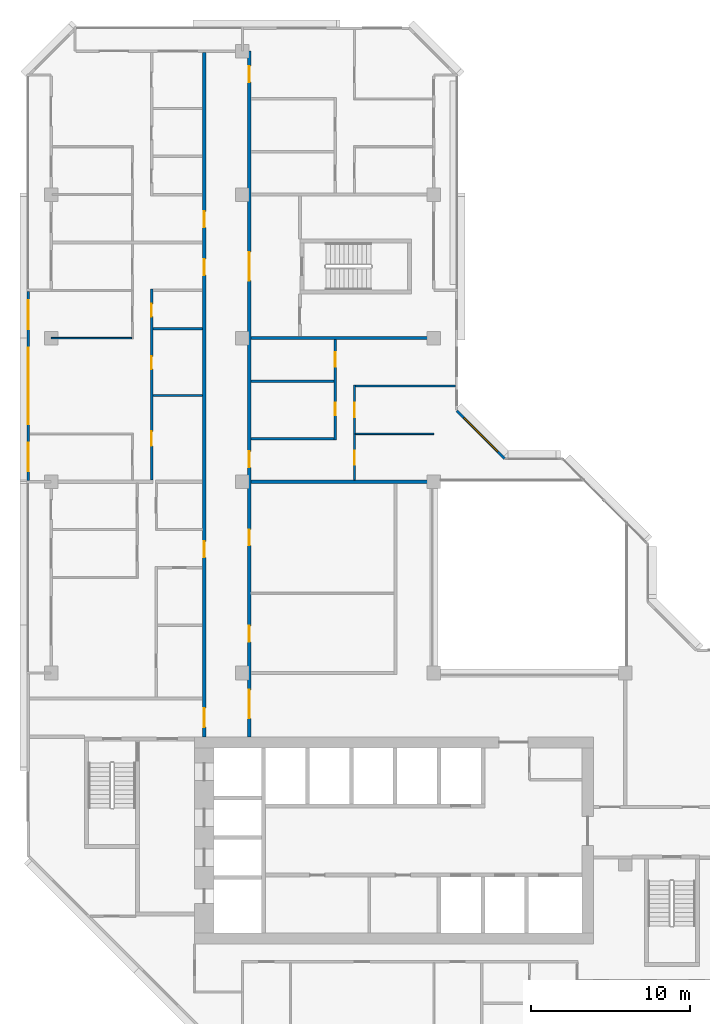
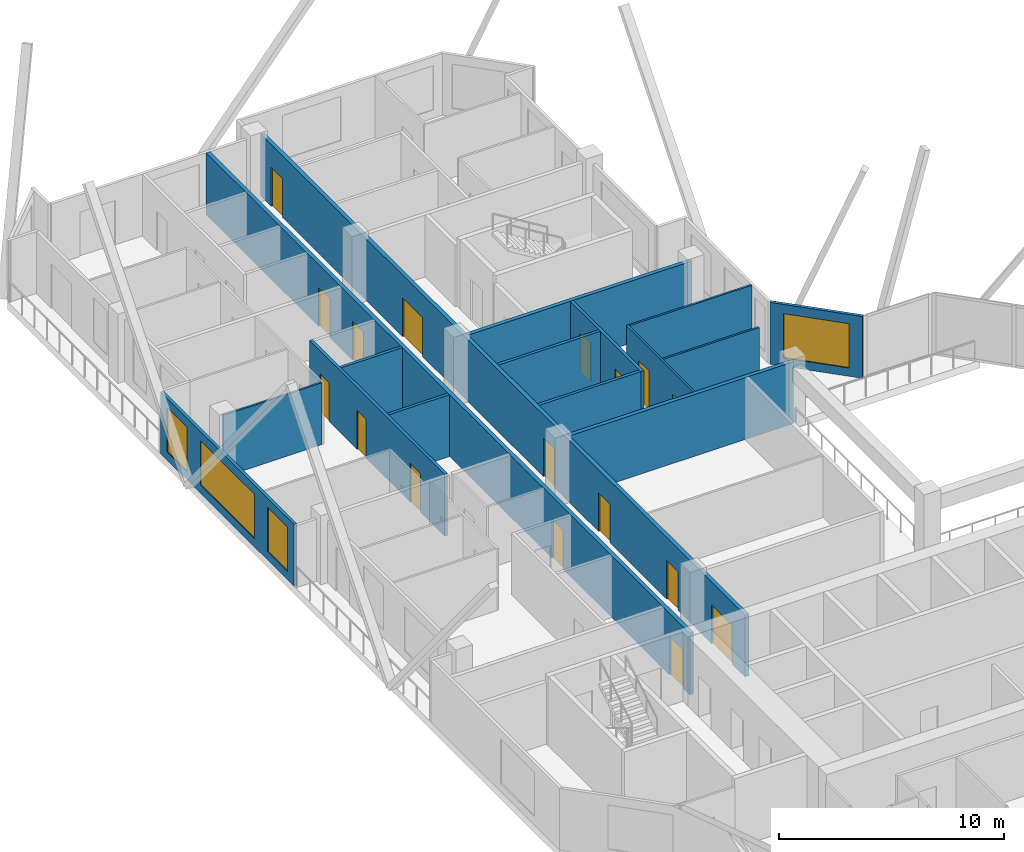
# One storey, part 9 of 14: 17 doors, 16 walls, 4 windows, 21 openings.
"""IFC4 building model written with IfcOpenShell, lengths in metres."""

from ifc_helpers import new_model, si_unit, direction, frame, frame_2d, origin, place, context, subcontext, project, spatial, rectangle, extrude, material, layer, layer_set, type_object, element, fill, save


model = new_model("IFC4")

# Units and contexts
model_context = context("Model", 3, precision=1e-05, world=origin(), true_north=direction((0.0, 1.0)))
body_context = subcontext(model_context, "Body", "Model", "MODEL_VIEW")
ifc_project = project(units=[si_unit("LENGTHUNIT", "METRE"), si_unit("AREAUNIT", "SQUARE_METRE"), si_unit("VOLUMEUNIT", "CUBIC_METRE"), si_unit("PLANEANGLEUNIT", "RADIAN"), si_unit("MASSUNIT", "GRAM", prefix="KILO")], contexts=[model_context])

# Site, building, storey
site_placement = place(None, origin())
site = spatial("IfcSite", under=ifc_project, at=site_placement, CompositionType="ELEMENT")
building_placement = place(site_placement, origin())
building = spatial("IfcBuilding", under=site, at=building_placement, Name="Chenar Terraces", CompositionType="ELEMENT")
storey_placement = place(building_placement, frame((0.0, 0.0, 234.14990234375)))
storey = spatial("IfcBuildingStorey", under=building, at=storey_placement, Name="L55", CompositionType="ELEMENT", Elevation=234.14990234375)

# Wall, openings, doors
ifc_material_1 = material(Name="Gypsum board on steel studs with fire boards", Category="steel")
ifc_layer_1 = layer(ifc_material_1, 0.199951171875)
ifc_layer_set_1 = layer_set([ifc_layer_1], Name="Gypsum board on steel studs with fire boards")
wall_type_1 = type_object("IfcWallType", Name="Corridor wall 200", PredefinedType="PARTITIONING", material=ifc_layer_set_1)
wall_1_placement = place(storey_placement, frame((9.60009765625, 20.0, 0.0), z_axis=(0.0, 0.0, 1.0), x_axis=(0.0, 1.0, 0.0)))
wall_1 = element("IfcWall", 1, at=wall_1_placement, inside=storey, type_object=wall_type_1, Name="Partition L55-033", PredefinedType="PARTITIONING", context=body_context, shape_type="SweptSolid", body=[
    extrude(rectangle(XDim=42.926025390625, YDim=0.199951171875, at=frame_2d((21.462890625, 0.0))), origin(), (0.0, 0.0, 1.0), 3.35009765625),
])
opening_1_placement = place(wall_1_placement, frame((28.949951171875, 0.0, 0.0)))
opening_1 = element("IfcOpeningElement", 2, at=opening_1_placement, cuts=wall_1, Name="Opening DL55-28", PredefinedType="OPENING", context=body_context, shape_type="SweptSolid", body=[
    extrude(rectangle(XDim=1.0, YDim=2.10009765625, at=frame_2d((0.5, 1.050048828125))), frame((0.0, 0.10986328125, 0.0), z_axis=(0.0, -1.0, 0.0), x_axis=(1.0, 0.0, 0.0)), (0.0, 0.0, 1.0), 0.219970703125),
])
opening_2_placement = place(wall_1_placement, frame((31.949951171875, 0.0, 0.0)))
opening_2 = element("IfcOpeningElement", 3, at=opening_2_placement, cuts=wall_1, Name="Opening DL55-34", PredefinedType="OPENING", context=body_context, shape_type="SweptSolid", body=[
    extrude(rectangle(XDim=1.0, YDim=2.10009765625, at=frame_2d((0.5, 1.050048828125))), frame((0.0, 0.10986328125, 0.0), z_axis=(0.0, -1.0, 0.0), x_axis=(1.0, 0.0, 0.0)), (0.0, 0.0, 1.0), 0.219970703125),
])
opening_3_placement = place(wall_1_placement, frame((0.60009765625, 0.0, 0.0)))
opening_3 = element("IfcOpeningElement", 4, at=opening_3_placement, cuts=wall_1, Name="Opening DL55-38", PredefinedType="OPENING", context=body_context, shape_type="SweptSolid", body=[
    extrude(rectangle(XDim=1.199951171875, YDim=2.10009765625, at=frame_2d((0.60009765625, 1.050048828125))), frame((0.0, 0.10986328125, 0.0), z_axis=(0.0, -1.0, 0.0), x_axis=(1.0, 0.0, 0.0)), (0.0, 0.0, 1.0), 0.219970703125),
])
opening_4_placement = place(wall_1_placement, frame((11.25, 0.0, 0.0)))
opening_4 = element("IfcOpeningElement", 5, at=opening_4_placement, cuts=wall_1, Name="Opening DL55-63", PredefinedType="OPENING", context=body_context, shape_type="SweptSolid", body=[
    extrude(rectangle(XDim=1.0, YDim=2.10009765625, at=frame_2d((0.5, 1.050048828125))), frame((0.0, 0.10986328125, 0.0), z_axis=(0.0, -1.0, 0.0), x_axis=(1.0, 0.0, 0.0)), (0.0, 0.0, 1.0), 0.219970703125),
])
ifc_material_2 = material(Name="Steel-framed fire-resisting door leaf", Category="steel")
door_type_1 = type_object("IfcDoorType", Name="Fire door FD30S 1000 x 2100", OperationType="SINGLE_SWING_LEFT", PredefinedType="DOOR", material=ifc_material_2)
door_1_placement = place(opening_1_placement, origin())
door_1 = element("IfcDoor", 6, at=door_1_placement, inside=storey, type_object=door_type_1, Name="Door DL55-28", OperationType="SINGLE_SWING_LEFT", OverallHeight=2.10009765625, OverallWidth=1.0, PredefinedType="DOOR", context=body_context, shape_type="SweptSolid", body=[
    extrude(rectangle(XDim=1.0, YDim=2.10009765625, at=frame_2d((0.5, 1.050048828125))), frame((0.0, 0.02490234375, 0.0), z_axis=(0.0, -1.0, 0.0), x_axis=(1.0, 0.0, 0.0)), (0.0, 0.0, 1.0), 0.050048828125),
])
fill(opening_1, door_1)
door_2_placement = place(opening_2_placement, origin())
door_2 = element("IfcDoor", 7, at=door_2_placement, inside=storey, type_object=door_type_1, Name="Door DL55-34", OperationType="SINGLE_SWING_LEFT", OverallHeight=2.10009765625, OverallWidth=1.0, PredefinedType="DOOR", context=body_context, shape_type="SweptSolid", body=[
    extrude(rectangle(XDim=1.0, YDim=2.10009765625, at=frame_2d((0.5, 1.050048828125))), frame((0.0, 0.02490234375, 0.0), z_axis=(0.0, -1.0, 0.0), x_axis=(1.0, 0.0, 0.0)), (0.0, 0.0, 1.0), 0.050048828125),
])
fill(opening_2, door_2)
door_3_placement = place(opening_4_placement, origin())
door_3 = element("IfcDoor", 8, at=door_3_placement, inside=storey, type_object=door_type_1, Name="Door DL55-63", OperationType="SINGLE_SWING_LEFT", OverallHeight=2.10009765625, OverallWidth=1.0, PredefinedType="DOOR", context=body_context, shape_type="SweptSolid", body=[
    extrude(rectangle(XDim=1.0, YDim=2.10009765625, at=frame_2d((0.5, 1.050048828125))), frame((0.0, 0.02490234375, 0.0), z_axis=(0.0, -1.0, 0.0), x_axis=(1.0, 0.0, 0.0)), (0.0, 0.0, 1.0), 0.050048828125),
])
fill(opening_4, door_3)
ifc_material_3 = material(Name="Steel-framed fire-resisting door leaf", Category="steel")
door_type_2 = type_object("IfcDoorType", Name="Fire door FD30S 1200 x 2100", OperationType="SINGLE_SWING_LEFT", PredefinedType="DOOR", material=ifc_material_3)
door_4_placement = place(opening_3_placement, origin())
door_4 = element("IfcDoor", 9, at=door_4_placement, inside=storey, type_object=door_type_2, Name="Door DL55-38", OperationType="SINGLE_SWING_RIGHT", OverallHeight=2.10009765625, OverallWidth=1.199951171875, PredefinedType="DOOR", context=body_context, shape_type="SweptSolid", body=[
    extrude(rectangle(XDim=1.199951171875, YDim=2.10009765625, at=frame_2d((0.60009765625, 1.050048828125))), frame((0.0, 0.02490234375, 0.0), z_axis=(0.0, -1.0, 0.0), x_axis=(1.0, 0.0, 0.0)), (0.0, 0.0, 1.0), 0.050048828125),
])
fill(opening_3, door_4)

wall_2_placement = place(storey_placement, frame((12.425048828125, 20.0, 0.0), z_axis=(0.0, 0.0, 1.0), x_axis=(0.0, 1.0, 0.0)))
wall_2 = element("IfcWall", 10, at=wall_2_placement, inside=storey, type_object=wall_type_1, Name="Partition L55-036", PredefinedType="PARTITIONING", context=body_context, shape_type="SweptSolid", body=[
    extrude(rectangle(XDim=43.0, YDim=0.199951171875, at=frame_2d((21.5, 0.0))), origin(), (0.0, 0.0, 1.0), 3.35009765625),
])
opening_5_placement = place(wall_2_placement, frame((5.949951171875, 0.0, 0.0)))
opening_5 = element("IfcOpeningElement", 11, at=opening_5_placement, cuts=wall_2, Name="Opening DL55-1", PredefinedType="OPENING", context=body_context, shape_type="SweptSolid", body=[
    extrude(rectangle(XDim=1.0, YDim=2.10009765625, at=frame_2d((0.5, 1.050048828125))), frame((0.0, 0.10986328125, 0.0), z_axis=(0.0, -1.0, 0.0), x_axis=(1.0, 0.0, 0.0)), (0.0, 0.0, 1.0), 0.219970703125),
])
opening_6_placement = place(wall_2_placement, frame((12.0, 0.0, 0.0)))
opening_6 = element("IfcOpeningElement", 12, at=opening_6_placement, cuts=wall_2, Name="Opening DL55-2", PredefinedType="OPENING", context=body_context, shape_type="SweptSolid", body=[
    extrude(rectangle(XDim=1.0, YDim=2.10009765625, at=frame_2d((0.5, 1.050048828125))), frame((0.0, 0.10986328125, 0.0), z_axis=(0.0, -1.0, 0.0), x_axis=(1.0, 0.0, 0.0)), (0.0, 0.0, 1.0), 0.219970703125),
])
opening_7_placement = place(wall_2_placement, frame((16.89990234375, 0.0, 0.0)))
opening_7 = element("IfcOpeningElement", 13, at=opening_7_placement, cuts=wall_2, Name="Opening DL55-17", PredefinedType="OPENING", context=body_context, shape_type="SweptSolid", body=[
    extrude(rectangle(XDim=1.0, YDim=2.10009765625, at=frame_2d((0.5, 1.050048828125))), frame((0.0, 0.10986328125, 0.0), z_axis=(0.0, -1.0, 0.0), x_axis=(1.0, 0.0, 0.0)), (0.0, 0.0, 1.0), 0.219970703125),
])
opening_8_placement = place(wall_2_placement, frame((41.050048828125, 0.0, 0.0)))
opening_8 = element("IfcOpeningElement", 14, at=opening_8_placement, cuts=wall_2, Name="Opening DL55-22", PredefinedType="OPENING", context=body_context, shape_type="SweptSolid", body=[
    extrude(rectangle(XDim=1.0, YDim=2.10009765625, at=frame_2d((0.5, 1.050048828125))), frame((0.0, 0.10986328125, 0.0), z_axis=(0.0, -1.0, 0.0), x_axis=(1.0, 0.0, 0.0)), (0.0, 0.0, 1.0), 0.219970703125),
])
opening_9_placement = place(wall_2_placement, frame((1.14990234375, 0.0, 0.0)))
opening_9 = element("IfcOpeningElement", 15, at=opening_9_placement, cuts=wall_2, Name="Opening DL55-37", PredefinedType="OPENING", context=body_context, shape_type="SweptSolid", body=[
    extrude(rectangle(XDim=1.800048828125, YDim=2.10009765625, at=frame_2d((0.89990234375, 1.050048828125))), frame((0.0, 0.10986328125, 0.0), z_axis=(0.0, -1.0, 0.0), x_axis=(1.0, 0.0, 0.0)), (0.0, 0.0, 1.0), 0.219970703125),
])
opening_10_placement = place(wall_2_placement, frame((28.60009765625, 0.0, 0.0)))
opening_10 = element("IfcOpeningElement", 16, at=opening_10_placement, cuts=wall_2, Name="Opening DL55-39", PredefinedType="OPENING", context=body_context, shape_type="SweptSolid", body=[
    extrude(rectangle(XDim=1.800048828125, YDim=2.10009765625, at=frame_2d((0.89990234375, 1.050048828125))), frame((0.0, 0.10986328125, 0.0), z_axis=(0.0, -1.0, 0.0), x_axis=(1.0, 0.0, 0.0)), (0.0, 0.0, 1.0), 0.219970703125),
])
ifc_material_4 = material(Name="Steel-framed fire-resisting door leaf", Category="steel")
door_type_3 = type_object("IfcDoorType", Name="Fire door FD60 1000 x 2100", OperationType="SINGLE_SWING_LEFT", PredefinedType="DOOR", material=ifc_material_4)
door_5_placement = place(opening_5_placement, frame((1.0, 0.0, 0.0), z_axis=(0.0, 0.0, 1.0), x_axis=(-1.0, 0.0, 0.0)))
door_5 = element("IfcDoor", 17, at=door_5_placement, inside=storey, type_object=door_type_3, Name="Door DL55-1", OperationType="SINGLE_SWING_LEFT", OverallHeight=2.10009765625, OverallWidth=1.0, PredefinedType="DOOR", context=body_context, shape_type="SweptSolid", body=[
    extrude(rectangle(XDim=1.0, YDim=2.10009765625, at=frame_2d((0.5, 1.050048828125))), frame((0.0, 0.02490234375, 0.0), z_axis=(0.0, -1.0, 0.0), x_axis=(1.0, 0.0, 0.0)), (0.0, 0.0, 1.0), 0.050048828125),
])
fill(opening_5, door_5)
door_6_placement = place(opening_6_placement, frame((1.0, 0.0, 0.0), z_axis=(0.0, 0.0, 1.0), x_axis=(-1.0, 0.0, 0.0)))
door_6 = element("IfcDoor", 18, at=door_6_placement, inside=storey, type_object=door_type_3, Name="Door DL55-2", OperationType="SINGLE_SWING_LEFT", OverallHeight=2.10009765625, OverallWidth=1.0, PredefinedType="DOOR", context=body_context, shape_type="SweptSolid", body=[
    extrude(rectangle(XDim=1.0, YDim=2.10009765625, at=frame_2d((0.5, 1.050048828125))), frame((0.0, 0.02490234375, 0.0), z_axis=(0.0, -1.0, 0.0), x_axis=(1.0, 0.0, 0.0)), (0.0, 0.0, 1.0), 0.050048828125),
])
fill(opening_6, door_6)
door_7_placement = place(opening_7_placement, frame((1.0, 0.0, 0.0), z_axis=(0.0, 0.0, 1.0), x_axis=(-1.0, 0.0, 0.0)))
door_7 = element("IfcDoor", 19, at=door_7_placement, inside=storey, type_object=door_type_3, Name="Door DL55-17", OperationType="SINGLE_SWING_LEFT", OverallHeight=2.10009765625, OverallWidth=1.0, PredefinedType="DOOR", context=body_context, shape_type="SweptSolid", body=[
    extrude(rectangle(XDim=1.0, YDim=2.10009765625, at=frame_2d((0.5, 1.050048828125))), frame((0.0, 0.02490234375, 0.0), z_axis=(0.0, -1.0, 0.0), x_axis=(1.0, 0.0, 0.0)), (0.0, 0.0, 1.0), 0.050048828125),
])
fill(opening_7, door_7)
door_8_placement = place(opening_8_placement, frame((1.0, 0.0, 0.0), z_axis=(0.0, 0.0, 1.0), x_axis=(-1.0, 0.0, 0.0)))
door_8 = element("IfcDoor", 20, at=door_8_placement, inside=storey, type_object=door_type_3, Name="Door DL55-22", OperationType="SINGLE_SWING_RIGHT", OverallHeight=2.10009765625, OverallWidth=1.0, PredefinedType="DOOR", context=body_context, shape_type="SweptSolid", body=[
    extrude(rectangle(XDim=1.0, YDim=2.10009765625, at=frame_2d((0.5, 1.050048828125))), frame((0.0, 0.02490234375, 0.0), z_axis=(0.0, -1.0, 0.0), x_axis=(1.0, 0.0, 0.0)), (0.0, 0.0, 1.0), 0.050048828125),
])
fill(opening_8, door_8)
ifc_material_5 = material(Name="Steel-framed fire-resisting door leaf", Category="steel")
door_type_4 = type_object("IfcDoorType", Name="Fire double door FD60 1800 x 2100", OperationType="DOUBLE_DOOR_SINGLE_SWING", PredefinedType="DOOR", material=ifc_material_5)
door_9_placement = place(opening_9_placement, frame((1.800048828125, 0.0, 0.0), z_axis=(0.0, 0.0, 1.0), x_axis=(-1.0, 0.0, 0.0)))
door_9 = element("IfcDoor", 21, at=door_9_placement, inside=storey, type_object=door_type_4, Name="Door DL55-37", OperationType="DOUBLE_DOOR_SINGLE_SWING", OverallHeight=2.10009765625, OverallWidth=1.800048828125, PredefinedType="DOOR", context=body_context, shape_type="SweptSolid", body=[
    extrude(rectangle(XDim=1.800048828125, YDim=2.10009765625, at=frame_2d((0.89990234375, 1.050048828125))), frame((0.0, 0.02490234375, 0.0), z_axis=(0.0, -1.0, 0.0), x_axis=(1.0, 0.0, 0.0)), (0.0, 0.0, 1.0), 0.050048828125),
])
fill(opening_9, door_9)
door_10_placement = place(opening_10_placement, frame((1.800048828125, 0.0, 0.0), z_axis=(0.0, 0.0, 1.0), x_axis=(-1.0, 0.0, 0.0)))
door_10 = element("IfcDoor", 22, at=door_10_placement, inside=storey, type_object=door_type_4, Name="Door DL55-39", OperationType="DOUBLE_DOOR_SINGLE_SWING", OverallHeight=2.10009765625, OverallWidth=1.800048828125, PredefinedType="DOOR", context=body_context, shape_type="SweptSolid", body=[
    extrude(rectangle(XDim=1.800048828125, YDim=2.10009765625, at=frame_2d((0.89990234375, 1.050048828125))), frame((0.0, 0.02490234375, 0.0), z_axis=(0.0, -1.0, 0.0), x_axis=(1.0, 0.0, 0.0)), (0.0, 0.0, 1.0), 0.050048828125),
])
fill(opening_10, door_10)

# Wall, openings, windows
ifc_material_6 = material(Name="Aluminium framed glazing", Category="aluminium")
ifc_layer_2 = layer(ifc_material_6, 0.14990234375)
ifc_layer_set_2 = layer_set([ifc_layer_2], Name="Aluminium framed glazing")
wall_type_2 = type_object("IfcWallType", Name="Glazed flush facade wall 150", PredefinedType="SOLIDWALL", material=ifc_layer_set_2)
wall_3_placement = place(storey_placement, frame((-1.425048828125, 47.925048828125, 0.0), z_axis=(0.0, 0.0, 1.0), x_axis=(0.0, -1.0, 0.0)))
wall_3 = element("IfcWall", 23, at=wall_3_placement, inside=storey, type_object=wall_type_2, Name="Glazed flush facade wall", PredefinedType="SOLIDWALL", context=body_context, shape_type="SweptSolid", body=[
    extrude(rectangle(XDim=11.85009765625, YDim=0.14990234375, at=frame_2d((5.925048828125, 0.0))), origin(), (0.0, 0.0, 1.0), 3.35009765625),
])
opening_11_placement = place(wall_3_placement, frame((0.5625, 0.0, 0.449951171875)))
opening_11 = element("IfcOpeningElement", 24, at=opening_11_placement, cuts=wall_3, Name="Opening W180x240", PredefinedType="OPENING", context=body_context, shape_type="SweptSolid", body=[
    extrude(rectangle(XDim=1.800048828125, YDim=2.39990234375, at=frame_2d((0.89990234375, 1.199951171875))), frame((0.0, 0.0849609375, 0.0), z_axis=(0.0, -1.0, 0.0), x_axis=(1.0, 0.0, 0.0)), (0.0, 0.0, 1.0), 0.169921875),
])
opening_12_placement = place(wall_3_placement, frame((3.52490234375, 0.0, 0.449951171875)))
opening_12 = element("IfcOpeningElement", 25, at=opening_12_placement, cuts=wall_3, Name="Opening W480x240", PredefinedType="OPENING", context=body_context, shape_type="SweptSolid", body=[
    extrude(rectangle(XDim=4.800048828125, YDim=2.39990234375, at=frame_2d((2.39990234375, 1.199951171875))), frame((0.0, 0.0849609375, 0.0), z_axis=(0.0, -1.0, 0.0), x_axis=(1.0, 0.0, 0.0)), (0.0, 0.0, 1.0), 0.169921875),
])
opening_13_placement = place(wall_3_placement, frame((9.487548828125, 0.0, 0.449951171875)))
opening_13 = element("IfcOpeningElement", 26, at=opening_13_placement, cuts=wall_3, Name="Opening W180x240", PredefinedType="OPENING", context=body_context, shape_type="SweptSolid", body=[
    extrude(rectangle(XDim=1.800048828125, YDim=2.39990234375, at=frame_2d((0.89990234375, 1.199951171875))), frame((0.0, 0.0849609375, 0.0), z_axis=(0.0, -1.0, 0.0), x_axis=(1.0, 0.0, 0.0)), (0.0, 0.0, 1.0), 0.169921875),
])
ifc_material_7 = material(Name="Low emissivity double glazing, aluminium frame", Category="aluminium")
window_type_1 = type_object("IfcWindowType", Name="Fixed light 1800 x 2400", PartitioningType="SINGLE_PANEL", PredefinedType="WINDOW", material=ifc_material_7)
window_1_placement = place(opening_11_placement, origin())
window_1 = element("IfcWindow", 27, at=window_1_placement, inside=storey, type_object=window_type_1, Name="Window", OverallHeight=2.39990234375, OverallWidth=1.800048828125, PartitioningType="SINGLE_PANEL", PredefinedType="WINDOW", context=body_context, shape_type="SweptSolid", body=[
    extrude(rectangle(XDim=1.800048828125, YDim=2.39990234375, at=frame_2d((0.89990234375, 1.199951171875))), frame((0.0, 0.030029296875, 0.0), z_axis=(0.0, -1.0, 0.0), x_axis=(1.0, 0.0, 0.0)), (0.0, 0.0, 1.0), 0.06005859375),
])
fill(opening_11, window_1)
window_2_placement = place(opening_13_placement, origin())
window_2 = element("IfcWindow", 28, at=window_2_placement, inside=storey, type_object=window_type_1, Name="Window", OverallHeight=2.39990234375, OverallWidth=1.800048828125, PartitioningType="SINGLE_PANEL", PredefinedType="WINDOW", context=body_context, shape_type="SweptSolid", body=[
    extrude(rectangle(XDim=1.800048828125, YDim=2.39990234375, at=frame_2d((0.89990234375, 1.199951171875))), frame((0.0, 0.030029296875, 0.0), z_axis=(0.0, -1.0, 0.0), x_axis=(1.0, 0.0, 0.0)), (0.0, 0.0, 1.0), 0.06005859375),
])
fill(opening_13, window_2)
ifc_material_8 = material(Name="Low emissivity double glazing, aluminium frame", Category="aluminium")
window_type_2 = type_object("IfcWindowType", Name="Fixed light 4800 x 2400", PartitioningType="SINGLE_PANEL", PredefinedType="WINDOW", material=ifc_material_8)
window_3_placement = place(opening_12_placement, origin())
window_3 = element("IfcWindow", 29, at=window_3_placement, inside=storey, type_object=window_type_2, Name="Window", OverallHeight=2.39990234375, OverallWidth=4.800048828125, PartitioningType="SINGLE_PANEL", PredefinedType="WINDOW", context=body_context, shape_type="SweptSolid", body=[
    extrude(rectangle(XDim=4.800048828125, YDim=2.39990234375, at=frame_2d((2.39990234375, 1.199951171875))), frame((0.0, 0.030029296875, 0.0), z_axis=(0.0, -1.0, 0.0), x_axis=(1.0, 0.0, 0.0)), (0.0, 0.0, 1.0), 0.06005859375),
])
fill(opening_12, window_3)

# Wall
ifc_material_9 = material(Name="Gypsum board on steel studs", Category="steel")
ifc_layer_3 = layer(ifc_material_9, 0.10009765625)
ifc_layer_set_3 = layer_set([ifc_layer_3], Name="Gypsum board on steel studs")
wall_type_3 = type_object("IfcWallType", Name="Gypsum partition 100", PredefinedType="PARTITIONING", material=ifc_layer_set_3)
wall_4_placement = place(storey_placement, frame((0.0, 45.0, 0.0), z_axis=(0.0, 0.0, 1.0), x_axis=(1.0, 0.0, 0.0)))
element("IfcWall", 30, at=wall_4_placement, inside=storey, type_object=wall_type_3, Name="Partition L55-005", PredefinedType="PARTITIONING", context=body_context, shape_type="SweptSolid", body=[
    extrude(rectangle(XDim=5.050048828125, YDim=0.10009765625, at=frame_2d((2.52490234375, 0.0))), origin(), (0.0, 0.0, 1.0), 3.35009765625),
])

# Wall, openings, doors
wall_5_placement = place(storey_placement, frame((19.02490234375, 36.10009765625, 0.0), z_axis=(0.0, 0.0, 1.0), x_axis=(0.0, 1.0, 0.0)))
wall_5 = element("IfcWall", 31, at=wall_5_placement, inside=storey, type_object=wall_type_3, Name="Partition L55-053", PredefinedType="PARTITIONING", context=body_context, shape_type="SweptSolid", body=[
    extrude(rectangle(XDim=5.949951171875, YDim=0.10009765625, at=frame_2d((2.97509765625, 0.0))), origin(), (0.0, 0.0, 1.0), 3.35009765625),
])
opening_14_placement = place(wall_5_placement, frame((0.949951171875, 0.0, 0.0)))
opening_14 = element("IfcOpeningElement", 32, at=opening_14_placement, cuts=wall_5, Name="Opening DL55-14", PredefinedType="OPENING", context=body_context, shape_type="SweptSolid", body=[
    extrude(rectangle(XDim=0.89990234375, YDim=2.10009765625, at=frame_2d((0.449951171875, 1.050048828125))), frame((0.0, 0.06005859375, 0.0), z_axis=(0.0, -1.0, 0.0), x_axis=(1.0, 0.0, 0.0)), (0.0, 0.0, 1.0), 0.1201171875),
])
opening_15_placement = place(wall_5_placement, frame((3.949951171875, 0.0, 0.0)))
opening_15 = element("IfcOpeningElement", 33, at=opening_15_placement, cuts=wall_5, Name="Opening DL55-15", PredefinedType="OPENING", context=body_context, shape_type="SweptSolid", body=[
    extrude(rectangle(XDim=0.89990234375, YDim=2.10009765625, at=frame_2d((0.449951171875, 1.050048828125))), frame((0.0, 0.06005859375, 0.0), z_axis=(0.0, -1.0, 0.0), x_axis=(1.0, 0.0, 0.0)), (0.0, 0.0, 1.0), 0.1201171875),
])
ifc_material_10 = material(Name="Veneered timber door leaf", Category="wood")
door_type_5 = type_object("IfcDoorType", Name="Door 900 x 2100", OperationType="SINGLE_SWING_LEFT", PredefinedType="DOOR", material=ifc_material_10)
door_11_placement = place(opening_14_placement, frame((0.89990234375, 0.0, 0.0), z_axis=(0.0, 0.0, 1.0), x_axis=(-1.0, 0.0, 0.0)))
door_11 = element("IfcDoor", 34, at=door_11_placement, inside=storey, type_object=door_type_5, Name="Door DL55-14", OperationType="SINGLE_SWING_LEFT", OverallHeight=2.10009765625, OverallWidth=0.89990234375, PredefinedType="DOOR", context=body_context, shape_type="SweptSolid", body=[
    extrude(rectangle(XDim=0.89990234375, YDim=2.10009765625, at=frame_2d((0.449951171875, 1.050048828125))), frame((0.0, 0.02490234375, 0.0), z_axis=(0.0, -1.0, 0.0), x_axis=(1.0, 0.0, 0.0)), (0.0, 0.0, 1.0), 0.050048828125),
])
fill(opening_14, door_11)
door_12_placement = place(opening_15_placement, frame((0.89990234375, 0.0, 0.0), z_axis=(0.0, 0.0, 1.0), x_axis=(-1.0, 0.0, 0.0)))
door_12 = element("IfcDoor", 35, at=door_12_placement, inside=storey, type_object=door_type_5, Name="Door DL55-15", OperationType="SINGLE_SWING_LEFT", OverallHeight=2.10009765625, OverallWidth=0.89990234375, PredefinedType="DOOR", context=body_context, shape_type="SweptSolid", body=[
    extrude(rectangle(XDim=0.89990234375, YDim=2.10009765625, at=frame_2d((0.449951171875, 1.050048828125))), frame((0.0, 0.02490234375, 0.0), z_axis=(0.0, -1.0, 0.0), x_axis=(1.0, 0.0, 0.0)), (0.0, 0.0, 1.0), 0.050048828125),
])
fill(opening_15, door_12)

# Walls
wall_6_placement = place(storey_placement, frame((19.074951171875, 39.0, 0.0), z_axis=(0.0, 0.0, 1.0), x_axis=(1.0, 0.0, 0.0)))
element("IfcWall", 36, at=wall_6_placement, inside=storey, type_object=wall_type_3, Name="Partition L55-056", PredefinedType="PARTITIONING", context=body_context, shape_type="SweptSolid", body=[
    extrude(rectangle(XDim=4.925048828125, YDim=0.10009765625, at=frame_2d((2.46240234375, 0.0))), origin(), (0.0, 0.0, 1.0), 3.35009765625),
])
wall_7_placement = place(storey_placement, frame((19.074951171875, 42.0, 0.0), z_axis=(0.0, 0.0, 1.0), x_axis=(1.0, 0.0, 0.0)))
element("IfcWall", 37, at=wall_7_placement, inside=storey, type_object=wall_type_3, Name="Partition L55-057", PredefinedType="PARTITIONING", context=body_context, shape_type="SweptSolid", body=[
    extrude(rectangle(XDim=6.275146484375, YDim=0.10009765625, at=frame_2d((3.1376953125, 0.0))), origin(), (0.0, 0.0, 1.0), 3.35009765625),
])

# Wall, opening, window
ifc_material_11 = material(Name="Terracotta cladding on insulated backing", Category="masonry")
ifc_layer_4 = layer(ifc_material_11, 0.14990234375)
ifc_layer_set_4 = layer_set([ifc_layer_4], Name="Terracotta cladding on insulated backing")
wall_type_4 = type_object("IfcWallType", Name="Terracotta rainscreen wall 150", PredefinedType="SOLIDWALL", material=ifc_layer_set_4)
wall_8_placement = place(storey_placement, frame((28.447021484375, 37.447021484375, 0.0), z_axis=(0.0, 0.0, 1.0), x_axis=(-0.707106781187, 0.707106781187, 0.0)))
wall_8 = element("IfcWall", 38, at=wall_8_placement, inside=storey, type_object=wall_type_4, Name="Terracotta rainscreen wall", PredefinedType="SOLIDWALL", context=body_context, shape_type="SweptSolid", body=[
    extrude(rectangle(XDim=4.24267578125, YDim=0.14990234375, at=frame_2d((2.121337890625, 0.0))), origin(), (0.0, 0.0, 1.0), 3.35009765625),
])
opening_16_placement = place(wall_8_placement, frame((0.621337890625, 0.0, 0.449951171875)))
opening_16 = element("IfcOpeningElement", 39, at=opening_16_placement, cuts=wall_8, Name="Opening W300x240", PredefinedType="OPENING", context=body_context, shape_type="SweptSolid", body=[
    extrude(rectangle(XDim=3.0, YDim=2.39990234375, at=frame_2d((1.5, 1.199951171875))), frame((0.0, 0.0849609375, 0.0), z_axis=(0.0, -1.0, 0.0), x_axis=(1.0, 0.0, 0.0)), (0.0, 0.0, 1.0), 0.169921875),
])
ifc_material_12 = material(Name="Low emissivity double glazing, aluminium frame", Category="aluminium")
window_type_3 = type_object("IfcWindowType", Name="Fixed light 3000 x 2400", PartitioningType="SINGLE_PANEL", PredefinedType="WINDOW", material=ifc_material_12)
window_4_placement = place(opening_16_placement, origin())
window_4 = element("IfcWindow", 40, at=window_4_placement, inside=storey, type_object=window_type_3, Name="Window", OverallHeight=2.39990234375, OverallWidth=3.0, PartitioningType="SINGLE_PANEL", PredefinedType="WINDOW", context=body_context, shape_type="SweptSolid", body=[
    extrude(rectangle(XDim=3.0, YDim=2.39990234375, at=frame_2d((1.5, 1.199951171875))), frame((0.0, 0.030029296875, 0.0), z_axis=(0.0, -1.0, 0.0), x_axis=(1.0, 0.0, 0.0)), (0.0, 0.0, 1.0), 0.06005859375),
])
fill(opening_16, window_4)

# Walls
ifc_material_13 = material(Name="Twin gypsum board on steel studs with mineral wool", Category="steel")
ifc_layer_5 = layer(ifc_material_13, 0.199951171875)
ifc_layer_set_5 = layer_set([ifc_layer_5], Name="Twin gypsum board on steel studs with mineral wool")
wall_type_5 = type_object("IfcWallType", Name="Unit demising wall 200", PredefinedType="PARTITIONING", material=ifc_layer_set_5)
for number, where, z_axis, x_axis, name in (
    (41, (12.52490234375, 36.0, 0.0), (0.0, 0.0, 1.0), (1.0, 0.0, 0.0), "Partition L55-039"),
    (42, (12.52490234375, 45.0, 0.0), (0.0, 0.0, 1.0), (1.0, 0.0, 0.0), "Partition L55-042"),
):
    element("IfcWall", number, at=place(storey_placement, frame(where, z_axis=z_axis, x_axis=x_axis)), inside=storey, type_object=wall_type_5, Name=name, PredefinedType="PARTITIONING", context=body_context, shape_type="SweptSolid", body=[
        extrude(rectangle(XDim=11.47509765625, YDim=0.199951171875, at=frame_2d((5.737548828125, 0.0))), origin(), (0.0, 0.0, 1.0), 3.35009765625),
    ])

# Wall, openings, doors
ifc_material_14 = material(Name="Moisture-resistant gypsum board on steel studs", Category="steel")
ifc_layer_6 = layer(ifc_material_14, 0.14990234375)
ifc_layer_set_6 = layer_set([ifc_layer_6], Name="Moisture-resistant gypsum board on steel studs")
wall_type_6 = type_object("IfcWallType", Name="Wet-room partition 150", PredefinedType="PARTITIONING", material=ifc_layer_set_6)
wall_9_placement = place(storey_placement, frame((6.300048828125, 36.10009765625, 0.0), z_axis=(0.0, 0.0, 1.0), x_axis=(0.0, 1.0, 0.0)))
wall_9 = element("IfcWall", 43, at=wall_9_placement, inside=storey, type_object=wall_type_6, Name="Partition L55-017", PredefinedType="PARTITIONING", context=body_context, shape_type="SweptSolid", body=[
    extrude(rectangle(XDim=11.974853515625, YDim=0.14990234375, at=frame_2d((5.9873046875, 0.0))), origin(), (0.0, 0.0, 1.0), 3.35009765625),
])
opening_17_placement = place(wall_9_placement, frame((6.949951171875, 0.0, 0.0)))
opening_17 = element("IfcOpeningElement", 44, at=opening_17_placement, cuts=wall_9, Name="Opening DL55-23", PredefinedType="OPENING", context=body_context, shape_type="SweptSolid", body=[
    extrude(rectangle(XDim=0.800048828125, YDim=2.10009765625, at=frame_2d((0.39990234375, 1.050048828125))), frame((0.0, 0.0849609375, 0.0), z_axis=(0.0, -1.0, 0.0), x_axis=(1.0, 0.0, 0.0)), (0.0, 0.0, 1.0), 0.169921875),
])
opening_18_placement = place(wall_9_placement, frame((2.14990234375, 0.0, 0.0)))
opening_18 = element("IfcOpeningElement", 45, at=opening_18_placement, cuts=wall_9, Name="Opening DL55-27", PredefinedType="OPENING", context=body_context, shape_type="SweptSolid", body=[
    extrude(rectangle(XDim=0.89990234375, YDim=2.10009765625, at=frame_2d((0.449951171875, 1.050048828125))), frame((0.0, 0.0849609375, 0.0), z_axis=(0.0, -1.0, 0.0), x_axis=(1.0, 0.0, 0.0)), (0.0, 0.0, 1.0), 0.169921875),
])
opening_19_placement = place(wall_9_placement, frame((10.25, 0.0, 0.0)))
opening_19 = element("IfcOpeningElement", 46, at=opening_19_placement, cuts=wall_9, Name="Opening DL55-29", PredefinedType="OPENING", context=body_context, shape_type="SweptSolid", body=[
    extrude(rectangle(XDim=0.800048828125, YDim=2.10009765625, at=frame_2d((0.39990234375, 1.050048828125))), frame((0.0, 0.0849609375, 0.0), z_axis=(0.0, -1.0, 0.0), x_axis=(1.0, 0.0, 0.0)), (0.0, 0.0, 1.0), 0.169921875),
])
ifc_material_15 = material(Name="Veneered timber door leaf", Category="wood")
door_type_6 = type_object("IfcDoorType", Name="Door 800 x 2100", OperationType="SINGLE_SWING_LEFT", PredefinedType="DOOR", material=ifc_material_15)
door_13_placement = place(opening_17_placement, frame((0.800048828125, 0.0, 0.0), z_axis=(0.0, 0.0, 1.0), x_axis=(-1.0, 0.0, 0.0)))
door_13 = element("IfcDoor", 47, at=door_13_placement, inside=storey, type_object=door_type_6, Name="Door DL55-23", OperationType="SINGLE_SWING_LEFT", OverallHeight=2.10009765625, OverallWidth=0.800048828125, PredefinedType="DOOR", context=body_context, shape_type="SweptSolid", body=[
    extrude(rectangle(XDim=0.800048828125, YDim=2.10009765625, at=frame_2d((0.39990234375, 1.050048828125))), frame((0.0, 0.02490234375, 0.0), z_axis=(0.0, -1.0, 0.0), x_axis=(1.0, 0.0, 0.0)), (0.0, 0.0, 1.0), 0.050048828125),
])
fill(opening_17, door_13)
door_14_placement = place(opening_19_placement, frame((0.800048828125, 0.0, 0.0), z_axis=(0.0, 0.0, 1.0), x_axis=(-1.0, 0.0, 0.0)))
door_14 = element("IfcDoor", 48, at=door_14_placement, inside=storey, type_object=door_type_6, Name="Door DL55-29", OperationType="SINGLE_SWING_RIGHT", OverallHeight=2.10009765625, OverallWidth=0.800048828125, PredefinedType="DOOR", context=body_context, shape_type="SweptSolid", body=[
    extrude(rectangle(XDim=0.800048828125, YDim=2.10009765625, at=frame_2d((0.39990234375, 1.050048828125))), frame((0.0, 0.02490234375, 0.0), z_axis=(0.0, -1.0, 0.0), x_axis=(1.0, 0.0, 0.0)), (0.0, 0.0, 1.0), 0.050048828125),
])
fill(opening_19, door_14)
door_15_placement = place(opening_18_placement, frame((0.89990234375, 0.0, 0.0), z_axis=(0.0, 0.0, 1.0), x_axis=(-1.0, 0.0, 0.0)))
door_15 = element("IfcDoor", 49, at=door_15_placement, inside=storey, type_object=door_type_5, Name="Door DL55-27", OperationType="SINGLE_SWING_LEFT", OverallHeight=2.10009765625, OverallWidth=0.89990234375, PredefinedType="DOOR", context=body_context, shape_type="SweptSolid", body=[
    extrude(rectangle(XDim=0.89990234375, YDim=2.10009765625, at=frame_2d((0.449951171875, 1.050048828125))), frame((0.0, 0.02490234375, 0.0), z_axis=(0.0, -1.0, 0.0), x_axis=(1.0, 0.0, 0.0)), (0.0, 0.0, 1.0), 0.050048828125),
])
fill(opening_18, door_15)

# Walls
for number, where, z_axis, x_axis, name in (
    (50, (6.375, 41.39990234375, 0.0), (0.0, 0.0, 1.0), (1.0, 0.0, 0.0), "Partition L55-019"),
    (51, (6.375, 45.60009765625, 0.0), (0.0, 0.0, 1.0), (1.0, 0.0, 0.0), "Partition L55-020"),
):
    element("IfcWall", number, at=place(storey_placement, frame(where, z_axis=z_axis, x_axis=x_axis)), inside=storey, type_object=wall_type_6, Name=name, PredefinedType="PARTITIONING", context=body_context, shape_type="SweptSolid", body=[
        extrude(rectangle(XDim=3.125, YDim=0.14990234375, at=frame_2d((1.5625, 0.0))), origin(), (0.0, 0.0, 1.0), 3.35009765625),
    ])
for number, where, z_axis, x_axis, name in (
    (52, (12.52490234375, 38.699951171875, 0.0), (0.0, 0.0, 1.0), (1.0, 0.0, 0.0), "Partition L55-040"),
    (53, (12.52490234375, 42.300048828125, 0.0), (0.0, 0.0, 1.0), (1.0, 0.0, 0.0), "Partition L55-041"),
):
    element("IfcWall", number, at=place(storey_placement, frame(where, z_axis=z_axis, x_axis=x_axis)), inside=storey, type_object=wall_type_6, Name=name, PredefinedType="PARTITIONING", context=body_context, shape_type="SweptSolid", body=[
        extrude(rectangle(XDim=5.22509765625, YDim=0.14990234375, at=frame_2d((2.612548828125, 0.0))), origin(), (0.0, 0.0, 1.0), 3.35009765625),
    ])

# Wall, openings, doors
wall_10_placement = place(storey_placement, frame((17.824951171875, 38.625, 0.0), z_axis=(0.0, 0.0, 1.0), x_axis=(0.0, 1.0, 0.0)))
wall_10 = element("IfcWall", 54, at=wall_10_placement, inside=storey, type_object=wall_type_6, Name="Partition L55-049", PredefinedType="PARTITIONING", context=body_context, shape_type="SweptSolid", body=[
    extrude(rectangle(XDim=6.27490234375, YDim=0.14990234375, at=frame_2d((3.137451171875, 0.0))), origin(), (0.0, 0.0, 1.0), 3.35009765625),
])
opening_20_placement = place(wall_10_placement, frame((1.52490234375, 0.0, 0.0)))
opening_20 = element("IfcOpeningElement", 55, at=opening_20_placement, cuts=wall_10, Name="Opening DL55-13", PredefinedType="OPENING", context=body_context, shape_type="SweptSolid", body=[
    extrude(rectangle(XDim=0.800048828125, YDim=2.10009765625, at=frame_2d((0.39990234375, 1.050048828125))), frame((0.0, 0.0849609375, 0.0), z_axis=(0.0, -1.0, 0.0), x_axis=(1.0, 0.0, 0.0)), (0.0, 0.0, 1.0), 0.169921875),
])
opening_21_placement = place(wall_10_placement, frame((4.574951171875, 0.0, 0.0)))
opening_21 = element("IfcOpeningElement", 56, at=opening_21_placement, cuts=wall_10, Name="Opening DL55-16", PredefinedType="OPENING", context=body_context, shape_type="SweptSolid", body=[
    extrude(rectangle(XDim=0.89990234375, YDim=2.10009765625, at=frame_2d((0.449951171875, 1.050048828125))), frame((0.0, 0.0849609375, 0.0), z_axis=(0.0, -1.0, 0.0), x_axis=(1.0, 0.0, 0.0)), (0.0, 0.0, 1.0), 0.169921875),
])
door_16_placement = place(opening_20_placement, origin())
door_16 = element("IfcDoor", 57, at=door_16_placement, inside=storey, type_object=door_type_6, Name="Door DL55-13", OperationType="SINGLE_SWING_RIGHT", OverallHeight=2.10009765625, OverallWidth=0.800048828125, PredefinedType="DOOR", context=body_context, shape_type="SweptSolid", body=[
    extrude(rectangle(XDim=0.800048828125, YDim=2.10009765625, at=frame_2d((0.39990234375, 1.050048828125))), frame((0.0, 0.02490234375, 0.0), z_axis=(0.0, -1.0, 0.0), x_axis=(1.0, 0.0, 0.0)), (0.0, 0.0, 1.0), 0.050048828125),
])
fill(opening_20, door_16)
door_17_placement = place(opening_21_placement, origin())
door_17 = element("IfcDoor", 58, at=door_17_placement, inside=storey, type_object=door_type_5, Name="Door DL55-16", OperationType="SINGLE_SWING_RIGHT", OverallHeight=2.10009765625, OverallWidth=0.89990234375, PredefinedType="DOOR", context=body_context, shape_type="SweptSolid", body=[
    extrude(rectangle(XDim=0.89990234375, YDim=2.10009765625, at=frame_2d((0.449951171875, 1.050048828125))), frame((0.0, 0.02490234375, 0.0), z_axis=(0.0, -1.0, 0.0), x_axis=(1.0, 0.0, 0.0)), (0.0, 0.0, 1.0), 0.050048828125),
])
fill(opening_21, door_17)

save(model, "model.ifc")
